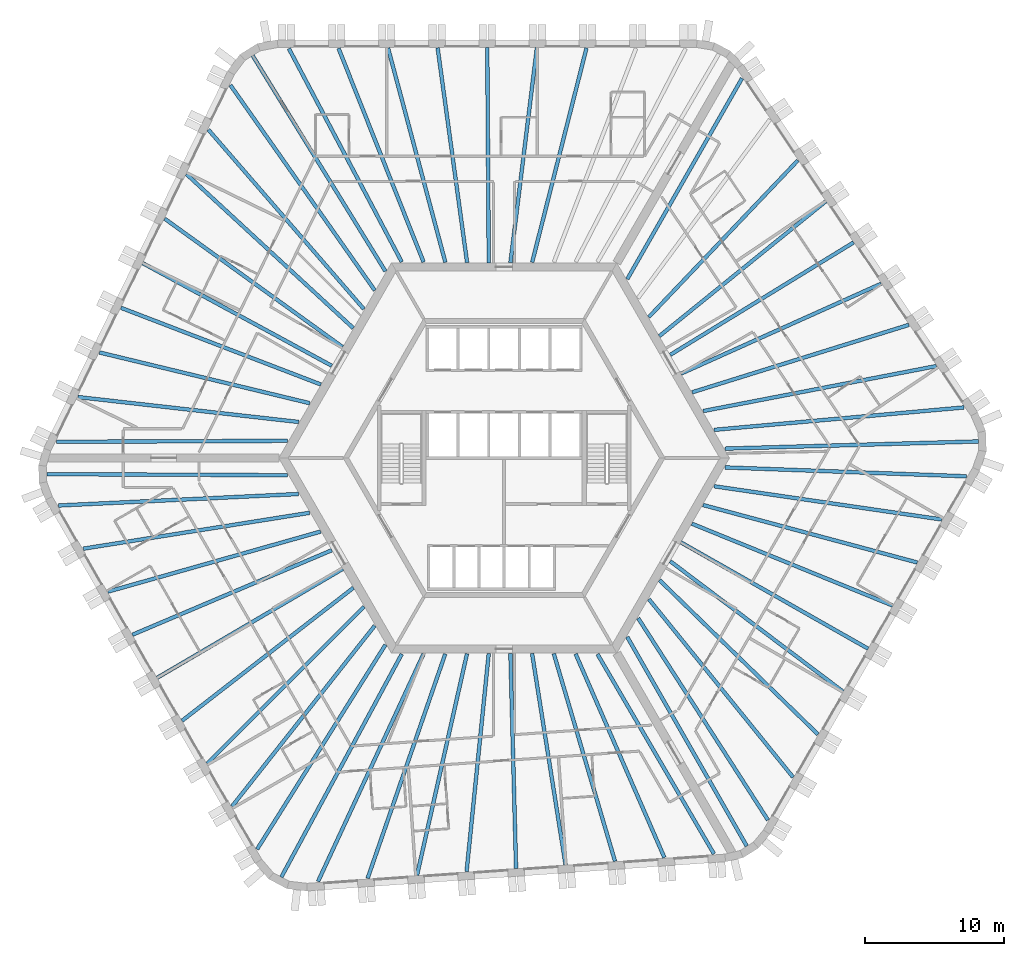
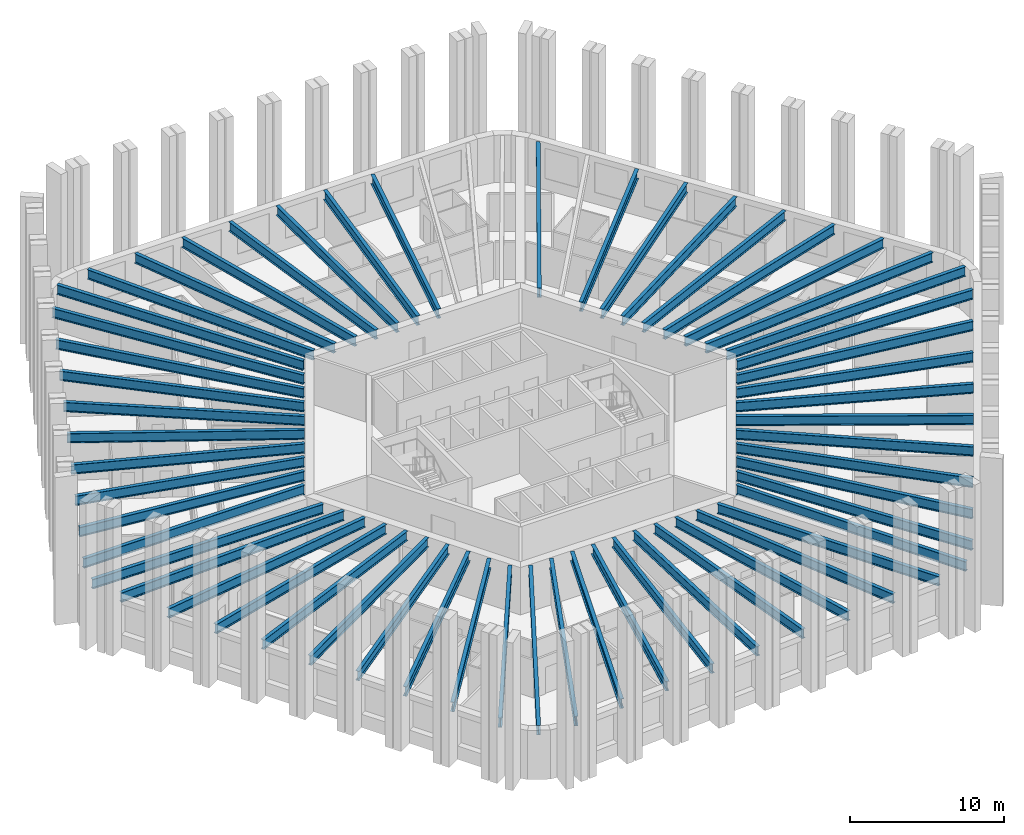
# One storey, part 1 of 13: 56 beams.
"""IFC4 building model written with IfcOpenShell, lengths in metres."""

from ifc_helpers import new_model, si_unit, direction, frame, origin, origin_2d, place, context, subcontext, project, spatial, i_section, extrude, material, material_profile, profile_set, type_object, element, save


model = new_model("IFC4")

# Units and contexts
model_context = context("Model", 3, precision=1e-05, world=origin(), true_north=direction((0.0, 1.0)))
body_context = subcontext(model_context, "Body", "Model", "MODEL_VIEW")
ifc_project = project(units=[si_unit("LENGTHUNIT", "METRE"), si_unit("AREAUNIT", "SQUARE_METRE"), si_unit("VOLUMEUNIT", "CUBIC_METRE"), si_unit("PLANEANGLEUNIT", "RADIAN"), si_unit("MASSUNIT", "GRAM", prefix="KILO")], contexts=[model_context])

# Site, building, storey
site_placement = place(None, origin())
site = spatial("IfcSite", under=ifc_project, at=site_placement, CompositionType="ELEMENT")
building_placement = place(site_placement, origin())
building = spatial("IfcBuilding", under=site, at=building_placement, Name="Tarnside Tower", CompositionType="ELEMENT")
storey_placement = place(building_placement, frame((0.0, 0.0, 80.39990234375)))
storey = spatial("IfcBuildingStorey", under=building, at=storey_placement, Name="L17", CompositionType="ELEMENT", Elevation=80.39990234375)

# Beams
ifc_material = material(Name="Steel S355", Category="steel")
ifc_material_profile_1 = material_profile(ifc_material, i_section(OverallWidth=0.26513671875, OverallDepth=0.75390625, WebThickness=0.0126953125, FlangeThickness=0.017578125, FilletRadius=0.0166015625, at=origin_2d()), Name="UB 762x267x147")
ifc_profile_set_1 = profile_set([ifc_material_profile_1], Name="Steel S355")
beam_type_1 = type_object("IfcBeamType", Name="Floor beam UB 762x267x147", PredefinedType="BEAM", material=ifc_profile_set_1)
beam_1_placement = place(storey_placement, frame((2.3525390625, 29.43017578125, 3.373046875), z_axis=(-0.122329629165, -0.992489527314, 0.0), x_axis=(0.992489527314, -0.122329629165, 0.0)))
element("IfcBeam", 1, at=beam_1_placement, inside=storey, type_object=beam_type_1, Name="Floor beam F1.04", PredefinedType="BEAM", context=body_context, shape_type="SweptSolid", body=[
    extrude(i_section(OverallWidth=0.26513671875, OverallDepth=0.75390625, WebThickness=0.0126953125, FlangeThickness=0.017578125, FilletRadius=0.0166015625, at=origin_2d()), origin(), (0.0, 0.0, 1.0), 15.527099609375),
])
beam_2_placement = place(storey_placement, frame((-1.208984375, 29.449951171875, 3.373046875), z_axis=(0.007000128723, -0.999975498799, 0.0), x_axis=(0.999975498799, 0.007000128723, 0.0)))
element("IfcBeam", 2, at=beam_2_placement, inside=storey, type_object=beam_type_1, Name="Floor beam F1.05", PredefinedType="BEAM", context=body_context, shape_type="SweptSolid", body=[
    extrude(i_section(OverallWidth=0.26513671875, OverallDepth=0.75390625, WebThickness=0.0126953125, FlangeThickness=0.017578125, FilletRadius=0.0166015625, at=origin_2d()), origin(), (0.0, 0.0, 1.0), 15.450439453125),
])
beam_3_placement = place(storey_placement, frame((-4.7705078125, 29.43017578125, 3.373046875), z_axis=(0.136000560933, -0.990708760144, 0.0), x_axis=(0.990708760144, 0.136000560933, 0.0)))
element("IfcBeam", 3, at=beam_3_placement, inside=storey, type_object=beam_type_1, Name="Floor beam F1.06", PredefinedType="BEAM", context=body_context, shape_type="SweptSolid", body=[
    extrude(i_section(OverallWidth=0.26513671875, OverallDepth=0.75390625, WebThickness=0.0126953125, FlangeThickness=0.017578125, FilletRadius=0.0166015625, at=origin_2d()), origin(), (0.0, 0.0, 1.0), 15.554931640625),
])
beam_4_placement = place(storey_placement, frame((-24.348876953125, 17.168212890625, 3.373046875), z_axis=(0.811027744825, -0.585007689799, 0.0), x_axis=(0.585007689799, 0.811027744825, 0.0)))
element("IfcBeam", 4, at=beam_4_placement, inside=storey, type_object=beam_type_1, Name="Floor beam F2.04", PredefinedType="BEAM", context=body_context, shape_type="SweptSolid", body=[
    extrude(i_section(OverallWidth=0.26513671875, OverallDepth=0.75390625, WebThickness=0.0126953125, FlangeThickness=0.017578125, FilletRadius=0.0166015625, at=origin_2d()), origin(), (0.0, 0.0, 1.0), 15.731689453125),
])
beam_5_placement = place(storey_placement, frame((-25.92626953125, 13.978271484375, 3.373046875), z_axis=(0.878894567679, -0.477016078245, 0.0), x_axis=(0.477016078245, 0.878894567679, 0.0)))
element("IfcBeam", 5, at=beam_5_placement, inside=storey, type_object=beam_type_1, Name="Floor beam F2.05", PredefinedType="BEAM", context=body_context, shape_type="SweptSolid", body=[
    extrude(i_section(OverallWidth=0.26513671875, OverallDepth=0.75390625, WebThickness=0.0126953125, FlangeThickness=0.017578125, FilletRadius=0.0166015625, at=origin_2d()), origin(), (0.0, 0.0, 1.0), 15.427490234375),
])
beam_6_placement = place(storey_placement, frame((-27.487548828125, 10.77734375, 3.373046875), z_axis=(0.933617702452, -0.358270827264, 0.0), x_axis=(0.358270827264, 0.933617702452, 0.0)))
element("IfcBeam", 6, at=beam_6_placement, inside=storey, type_object=beam_type_1, Name="Floor beam F2.06", PredefinedType="BEAM", context=body_context, shape_type="SweptSolid", body=[
    extrude(i_section(OverallWidth=0.26513671875, OverallDepth=0.75390625, WebThickness=0.0126953125, FlangeThickness=0.017578125, FilletRadius=0.0166015625, at=origin_2d()), origin(), (0.0, 0.0, 1.0), 15.363037109375),
])
beam_7_placement = place(storey_placement, frame((-29.029296875, 7.572509765625, 3.373046875), z_axis=(0.972101750991, -0.234559556873, 0.0), x_axis=(0.234559556873, 0.972101750991, 0.0)))
element("IfcBeam", 7, at=beam_7_placement, inside=storey, type_object=beam_type_1, Name="Floor beam F2.07", PredefinedType="BEAM", context=body_context, shape_type="SweptSolid", body=[
    extrude(i_section(OverallWidth=0.26513671875, OverallDepth=0.75390625, WebThickness=0.0126953125, FlangeThickness=0.017578125, FilletRadius=0.0166015625, at=origin_2d()), origin(), (0.0, 0.0, 1.0), 15.522216796875),
])
beam_8_placement = place(storey_placement, frame((-26.66357421875, -12.677734375, 3.373046875), z_axis=(0.920684021494, 0.390308765679, 0.0), x_axis=(-0.390308765679, 0.920684021494, 0.0)))
element("IfcBeam", 8, at=beam_8_placement, inside=storey, type_object=beam_type_1, Name="Floor beam F3.04", PredefinedType="BEAM", context=body_context, shape_type="SweptSolid", body=[
    extrude(i_section(OverallWidth=0.26513671875, OverallDepth=0.75390625, WebThickness=0.0126953125, FlangeThickness=0.017578125, FilletRadius=0.0166015625, at=origin_2d()), origin(), (0.0, 0.0, 1.0), 15.52685546875),
])
beam_9_placement = place(storey_placement, frame((-24.89990234375, -15.772216796875, 3.373046875), z_axis=(0.862497502004, 0.506061319443, 0.0), x_axis=(-0.506061319443, 0.862497502004, 0.0)))
element("IfcBeam", 9, at=beam_9_placement, inside=storey, type_object=beam_type_1, Name="Floor beam F3.05", PredefinedType="BEAM", context=body_context, shape_type="SweptSolid", body=[
    extrude(i_section(OverallWidth=0.26513671875, OverallDepth=0.75390625, WebThickness=0.0126953125, FlangeThickness=0.017578125, FilletRadius=0.0166015625, at=origin_2d()), origin(), (0.0, 0.0, 1.0), 15.450439453125),
])
beam_10_placement = place(storey_placement, frame((-23.10205078125, -18.846435546875, 3.373046875), z_axis=(0.789983963813, 0.613127504617, 0.0), x_axis=(-0.613127504617, 0.789983963813, 0.0)))
element("IfcBeam", 10, at=beam_10_placement, inside=storey, type_object=beam_type_1, Name="Floor beam F3.06", PredefinedType="BEAM", context=body_context, shape_type="SweptSolid", body=[
    extrude(i_section(OverallWidth=0.26513671875, OverallDepth=0.75390625, WebThickness=0.0126953125, FlangeThickness=0.017578125, FilletRadius=0.0166015625, at=origin_2d()), origin(), (0.0, 0.0, 1.0), 15.554931640625),
])
beam_11_placement = place(storey_placement, frame((-2.693603515625, -29.6708984375, 3.373046875), z_axis=(0.101123115756, 0.994873919379, 0.0), x_axis=(-0.994873919379, 0.101123115756, 0.0)))
element("IfcBeam", 11, at=beam_11_placement, inside=storey, type_object=beam_type_1, Name="Floor beam F4.04", PredefinedType="BEAM", context=body_context, shape_type="SweptSolid", body=[
    extrude(i_section(OverallWidth=0.26513671875, OverallDepth=0.75390625, WebThickness=0.0126953125, FlangeThickness=0.017578125, FilletRadius=0.0166015625, at=origin_2d()), origin(), (0.0, 0.0, 1.0), 15.7314453125),
])
beam_12_placement = place(storey_placement, frame((0.857666015625, -29.44189453125, 3.373046875), z_axis=(-0.026333316788, 0.999653218085, 0.0), x_axis=(-0.999653218085, -0.026333316788, 0.0)))
element("IfcBeam", 12, at=beam_12_placement, inside=storey, type_object=beam_type_1, Name="Floor beam F4.05", PredefinedType="BEAM", context=body_context, shape_type="SweptSolid", body=[
    extrude(i_section(OverallWidth=0.26513671875, OverallDepth=0.75390625, WebThickness=0.0126953125, FlangeThickness=0.017578125, FilletRadius=0.0166015625, at=origin_2d()), origin(), (0.0, 0.0, 1.0), 15.42724609375),
])
beam_13_placement = place(storey_placement, frame((4.41015625, -29.193603515625, 3.373046875), z_axis=(-0.156513375907, 0.98767583911, 0.0), x_axis=(-0.98767583911, -0.156513375907, 0.0)))
element("IfcBeam", 13, at=beam_13_placement, inside=storey, type_object=beam_type_1, Name="Floor beam F4.06", PredefinedType="BEAM", context=body_context, shape_type="SweptSolid", body=[
    extrude(i_section(OverallWidth=0.26513671875, OverallDepth=0.75390625, WebThickness=0.0126953125, FlangeThickness=0.017578125, FilletRadius=0.0166015625, at=origin_2d()), origin(), (0.0, 0.0, 1.0), 15.36328125),
])
beam_14_placement = place(storey_placement, frame((7.956787109375, -28.926513671875, 3.373046875), z_axis=(-0.282920694328, 0.959143305623, 0.0), x_axis=(-0.959143305623, -0.282920694328, 0.0)))
element("IfcBeam", 14, at=beam_14_placement, inside=storey, type_object=beam_type_1, Name="Floor beam F4.07", PredefinedType="BEAM", context=body_context, shape_type="SweptSolid", body=[
    extrude(i_section(OverallWidth=0.26513671875, OverallDepth=0.75390625, WebThickness=0.0126953125, FlangeThickness=0.017578125, FilletRadius=0.0166015625, at=origin_2d()), origin(), (0.0, 0.0, 1.0), 15.5224609375),
])
beam_15_placement = place(storey_placement, frame((24.31103515625, -16.75244140625, 3.373046875), z_axis=(-0.798361152727, 0.602178935049, 0.0), x_axis=(-0.602178935049, -0.798361152727, 0.0)))
element("IfcBeam", 15, at=beam_15_placement, inside=storey, type_object=beam_type_1, Name="Floor beam F5.04", PredefinedType="BEAM", context=body_context, shape_type="SweptSolid", body=[
    extrude(i_section(OverallWidth=0.26513671875, OverallDepth=0.75390625, WebThickness=0.0126953125, FlangeThickness=0.017578125, FilletRadius=0.0166015625, at=origin_2d()), origin(), (0.0, 0.0, 1.0), 15.527099609375),
])
beam_16_placement = place(storey_placement, frame((26.10888671875, -13.677978515625, 3.373046875), z_axis=(-0.869502520992, 0.493928502911, 0.0), x_axis=(-0.493928502911, -0.869502520992, 0.0)))
element("IfcBeam", 16, at=beam_16_placement, inside=storey, type_object=beam_type_1, Name="Floor beam F5.05", PredefinedType="BEAM", context=body_context, shape_type="SweptSolid", body=[
    extrude(i_section(OverallWidth=0.26513671875, OverallDepth=0.75390625, WebThickness=0.0126953125, FlangeThickness=0.017578125, FilletRadius=0.0166015625, at=origin_2d()), origin(), (0.0, 0.0, 1.0), 15.4501953125),
])
beam_17_placement = place(storey_placement, frame((27.87255859375, -10.58349609375, 3.373046875), z_axis=(-0.925981621163, 0.377568586177, 0.0), x_axis=(-0.377568586177, -0.925981621163, 0.0)))
element("IfcBeam", 17, at=beam_17_placement, inside=storey, type_object=beam_type_1, Name="Floor beam F5.06", PredefinedType="BEAM", context=body_context, shape_type="SweptSolid", body=[
    extrude(i_section(OverallWidth=0.26513671875, OverallDepth=0.75390625, WebThickness=0.0126953125, FlangeThickness=0.017578125, FilletRadius=0.0166015625, at=origin_2d()), origin(), (0.0, 0.0, 1.0), 15.554931640625),
])
beam_18_placement = place(storey_placement, frame((27.04248046875, 12.502685546875, 3.373046875), z_axis=(-0.912146413919, -0.409864513681, 0.0), x_axis=(0.409864513681, -0.912146413919, 0.0)))
element("IfcBeam", 18, at=beam_18_placement, inside=storey, type_object=beam_type_1, Name="Floor beam F6.04", PredefinedType="BEAM", context=body_context, shape_type="SweptSolid", body=[
    extrude(i_section(OverallWidth=0.26513671875, OverallDepth=0.75390625, WebThickness=0.0126953125, FlangeThickness=0.017578125, FilletRadius=0.0166015625, at=origin_2d()), origin(), (0.0, 0.0, 1.0), 15.7314453125),
])
beam_19_placement = place(storey_placement, frame((25.068603515625, 15.463623046875, 3.373046875), z_axis=(-0.852558490017, -0.522631821744, 0.0), x_axis=(0.522631821744, -0.852558490017, 0.0)))
element("IfcBeam", 19, at=beam_19_placement, inside=storey, type_object=beam_type_1, Name="Floor beam F6.05", PredefinedType="BEAM", context=body_context, shape_type="SweptSolid", body=[
    extrude(i_section(OverallWidth=0.26513671875, OverallDepth=0.75390625, WebThickness=0.0126953125, FlangeThickness=0.017578125, FilletRadius=0.0166015625, at=origin_2d()), origin(), (0.0, 0.0, 1.0), 15.42724609375),
])
beam_20_placement = place(storey_placement, frame((23.0771484375, 18.416259765625, 3.373046875), z_axis=(-0.777079423039, -0.629402550272, 0.0), x_axis=(0.629402550272, -0.777079423039, 0.0)))
element("IfcBeam", 20, at=beam_20_placement, inside=storey, type_object=beam_type_1, Name="Floor beam F6.06", PredefinedType="BEAM", context=body_context, shape_type="SweptSolid", body=[
    extrude(i_section(OverallWidth=0.26513671875, OverallDepth=0.75390625, WebThickness=0.0126953125, FlangeThickness=0.017578125, FilletRadius=0.0166015625, at=origin_2d()), origin(), (0.0, 0.0, 1.0), 15.36328125),
])
beam_21_placement = place(storey_placement, frame((21.072509765625, 21.35400390625, 3.373046875), z_axis=(-0.689174694318, -0.724595225427, 0.0), x_axis=(0.724595225427, -0.689174694318, 0.0)))
element("IfcBeam", 21, at=beam_21_placement, inside=storey, type_object=beam_type_1, Name="Floor beam F6.07", PredefinedType="BEAM", context=body_context, shape_type="SweptSolid", body=[
    extrude(i_section(OverallWidth=0.26513671875, OverallDepth=0.75390625, WebThickness=0.0126953125, FlangeThickness=0.017578125, FilletRadius=0.0166015625, at=origin_2d()), origin(), (0.0, 0.0, 1.0), 15.522216796875),
])
ifc_material_profile_2 = material_profile(ifc_material, i_section(OverallWidth=0.2666015625, OverallDepth=0.76220703125, WebThickness=0.014404296875, FlangeThickness=0.021484375, FilletRadius=0.0166015625, at=origin_2d()), Name="UB 762x267x173")
ifc_profile_set_2 = profile_set([ifc_material_profile_2], Name="Steel S355")
beam_type_2 = type_object("IfcBeamType", Name="Floor beam UB 762x267x173", PredefinedType="BEAM", material=ifc_profile_set_2)
beam_22_placement = place(storey_placement, frame((5.909423828125, 29.4111328125, 3.368896484375), z_axis=(-0.245747281389, -0.969333933013, 0.0), x_axis=(0.969333933013, -0.245747281389, 0.0)))
element("IfcBeam", 22, at=beam_22_placement, inside=storey, type_object=beam_type_2, Name="Floor beam F1.03", PredefinedType="BEAM", context=body_context, shape_type="SweptSolid", body=[
    extrude(i_section(OverallWidth=0.2666015625, OverallDepth=0.76220703125, WebThickness=0.014404296875, FlangeThickness=0.021484375, FilletRadius=0.0166015625, at=origin_2d()), origin(), (0.0, 0.0, 1.0), 15.858642578125),
])
beam_23_placement = place(storey_placement, frame((-8.3271484375, 29.411376953125, 3.368896484375), z_axis=(0.258447478572, -0.966025310652, 0.0), x_axis=(0.966025310652, 0.258447478572, 0.0)))
element("IfcBeam", 23, at=beam_23_placement, inside=storey, type_object=beam_type_2, Name="Floor beam F1.07", PredefinedType="BEAM", context=body_context, shape_type="SweptSolid", body=[
    extrude(i_section(OverallWidth=0.2666015625, OverallDepth=0.76220703125, WebThickness=0.014404296875, FlangeThickness=0.021484375, FilletRadius=0.0166015625, at=origin_2d()), origin(), (0.0, 0.0, 1.0), 15.91357421875),
])
beam_24_placement = place(storey_placement, frame((-11.87939453125, 29.394287109375, 3.368896484375), z_axis=(0.369638204477, -0.929175762593, 0.0), x_axis=(0.929175762593, 0.369638204477, 0.0)))
element("IfcBeam", 24, at=beam_24_placement, inside=storey, type_object=beam_type_2, Name="Floor beam F1.08", PredefinedType="BEAM", context=body_context, shape_type="SweptSolid", body=[
    extrude(i_section(OverallWidth=0.2666015625, OverallDepth=0.76220703125, WebThickness=0.014404296875, FlangeThickness=0.021484375, FilletRadius=0.0166015625, at=origin_2d()), origin(), (0.0, 0.0, 1.0), 16.507568359375),
])
beam_25_placement = place(storey_placement, frame((-15.44580078125, 29.37939453125, 3.368896484375), z_axis=(0.467741993634, -0.883865050441, 0.0), x_axis=(0.883865050441, 0.467741993634, 0.0)))
element("IfcBeam", 25, at=beam_25_placement, inside=storey, type_object=beam_type_2, Name="Floor beam F1.09", PredefinedType="BEAM", context=body_context, shape_type="SweptSolid", body=[
    extrude(i_section(OverallWidth=0.2666015625, OverallDepth=0.76220703125, WebThickness=0.014404296875, FlangeThickness=0.021484375, FilletRadius=0.0166015625, at=origin_2d()), origin(), (0.0, 0.0, 1.0), 17.320068359375),
])
beam_26_placement = place(storey_placement, frame((-18.042236328125, 28.8701171875, 3.368896484375), z_axis=(0.524382977035, -0.851482526771, 0.0), x_axis=(0.851482526771, 0.524382977035, 0.0)))
element("IfcBeam", 26, at=beam_26_placement, inside=storey, type_object=beam_type_2, Name="Floor beam C1", PredefinedType="BEAM", context=body_context, shape_type="SweptSolid", body=[
    extrude(i_section(OverallWidth=0.2666015625, OverallDepth=0.76220703125, WebThickness=0.014404296875, FlangeThickness=0.021484375, FilletRadius=0.0166015625, at=origin_2d()), origin(), (0.0, 0.0, 1.0), 18.1728515625),
])
beam_27_placement = place(storey_placement, frame((-19.638671875, 26.75537109375, 3.368896484375), z_axis=(0.575411427849, -0.817864101609, 0.0), x_axis=(0.817864101609, 0.575411427849, 0.0)))
element("IfcBeam", 27, at=beam_27_placement, inside=storey, type_object=beam_type_2, Name="Floor beam F2.01", PredefinedType="BEAM", context=body_context, shape_type="SweptSolid", body=[
    extrude(i_section(OverallWidth=0.2666015625, OverallDepth=0.76220703125, WebThickness=0.014404296875, FlangeThickness=0.021484375, FilletRadius=0.0166015625, at=origin_2d()), origin(), (0.0, 0.0, 1.0), 18.00048828125),
])
beam_28_placement = place(storey_placement, frame((-21.21630859375, 23.554931640625, 3.368896484375), z_axis=(0.654980748073, -0.755645564834, 0.0), x_axis=(0.755645564834, 0.654980748073, 0.0)))
element("IfcBeam", 28, at=beam_28_placement, inside=storey, type_object=beam_type_2, Name="Floor beam F2.02", PredefinedType="BEAM", context=body_context, shape_type="SweptSolid", body=[
    extrude(i_section(OverallWidth=0.2666015625, OverallDepth=0.76220703125, WebThickness=0.014404296875, FlangeThickness=0.021484375, FilletRadius=0.0166015625, at=origin_2d()), origin(), (0.0, 0.0, 1.0), 17.0302734375),
])
beam_29_placement = place(storey_placement, frame((-22.7890625, 20.368408203125, 3.368896484375), z_axis=(0.734715474517, -0.678375391288, 0.0), x_axis=(0.678375391288, 0.734715474517, 0.0)))
element("IfcBeam", 29, at=beam_29_placement, inside=storey, type_object=beam_type_2, Name="Floor beam F2.03", PredefinedType="BEAM", context=body_context, shape_type="SweptSolid", body=[
    extrude(i_section(OverallWidth=0.2666015625, OverallDepth=0.76220703125, WebThickness=0.014404296875, FlangeThickness=0.021484375, FilletRadius=0.0166015625, at=origin_2d()), origin(), (0.0, 0.0, 1.0), 16.2802734375),
])
beam_30_placement = place(storey_placement, frame((-30.570556640625, 4.372802734375, 3.368896484375), z_axis=(0.993687302776, -0.112185312326, 0.0), x_axis=(0.112185312326, 0.993687302776, 0.0)))
element("IfcBeam", 30, at=beam_30_placement, inside=storey, type_object=beam_type_2, Name="Floor beam F2.08", PredefinedType="BEAM", context=body_context, shape_type="SweptSolid", body=[
    extrude(i_section(OverallWidth=0.2666015625, OverallDepth=0.76220703125, WebThickness=0.014404296875, FlangeThickness=0.021484375, FilletRadius=0.0166015625, at=origin_2d()), origin(), (0.0, 0.0, 1.0), 15.934326171875),
])
beam_31_placement = place(storey_placement, frame((-32.119384765625, 1.162109375, 3.368896484375), z_axis=(0.999990508787, 0.004356872304, 0.0), x_axis=(-0.004356872304, 0.999990508787, 0.0)))
element("IfcBeam", 31, at=beam_31_placement, inside=storey, type_object=beam_type_2, Name="Floor beam F2.09", PredefinedType="BEAM", context=body_context, shape_type="SweptSolid", body=[
    extrude(i_section(OverallWidth=0.2666015625, OverallDepth=0.76220703125, WebThickness=0.014404296875, FlangeThickness=0.021484375, FilletRadius=0.0166015625, at=origin_2d()), origin(), (0.0, 0.0, 1.0), 16.586669921875),
])
beam_32_placement = place(storey_placement, frame((-32.80712890625, -1.1572265625, 3.368896484375), z_axis=(0.999990027056, -0.004466070929, 0.0), x_axis=(0.004466070929, 0.999990027056, 0.0)))
element("IfcBeam", 32, at=beam_32_placement, inside=storey, type_object=beam_type_2, Name="Floor beam C2", PredefinedType="BEAM", context=body_context, shape_type="SweptSolid", body=[
    extrude(i_section(OverallWidth=0.2666015625, OverallDepth=0.76220703125, WebThickness=0.014404296875, FlangeThickness=0.021484375, FilletRadius=0.0166015625, at=origin_2d()), origin(), (0.0, 0.0, 1.0), 17.2744140625),
])
beam_33_placement = place(storey_placement, frame((-31.95703125, -3.406494140625, 3.368896484375), z_axis=(0.998853818522, 0.047864905982, 0.0), x_axis=(-0.047864905982, 0.998853818522, 0.0)))
element("IfcBeam", 33, at=beam_33_placement, inside=storey, type_object=beam_type_2, Name="Floor beam F3.01", PredefinedType="BEAM", context=body_context, shape_type="SweptSolid", body=[
    extrude(i_section(OverallWidth=0.2666015625, OverallDepth=0.76220703125, WebThickness=0.014404296875, FlangeThickness=0.021484375, FilletRadius=0.0166015625, at=origin_2d()), origin(), (0.0, 0.0, 1.0), 17.2197265625),
])
beam_34_placement = place(storey_placement, frame((-30.18701171875, -6.502685546875, 3.368896484375), z_axis=(0.987678477078, 0.156496728136, 0.0), x_axis=(-0.156496728136, 0.987678477078, 0.0)))
element("IfcBeam", 34, at=beam_34_placement, inside=storey, type_object=beam_type_2, Name="Floor beam F3.02", PredefinedType="BEAM", context=body_context, shape_type="SweptSolid", body=[
    extrude(i_section(OverallWidth=0.2666015625, OverallDepth=0.76220703125, WebThickness=0.014404296875, FlangeThickness=0.021484375, FilletRadius=0.0166015625, at=origin_2d()), origin(), (0.0, 0.0, 1.0), 16.4287109375),
])
beam_35_placement = place(storey_placement, frame((-28.425537109375, -9.587890625, 3.368896484375), z_axis=(0.962342240503, 0.271840784547, 0.0), x_axis=(-0.271840784547, 0.962342240503, 0.0)))
element("IfcBeam", 35, at=beam_35_placement, inside=storey, type_object=beam_type_2, Name="Floor beam F3.03", PredefinedType="BEAM", context=body_context, shape_type="SweptSolid", body=[
    extrude(i_section(OverallWidth=0.2666015625, OverallDepth=0.76220703125, WebThickness=0.014404296875, FlangeThickness=0.021484375, FilletRadius=0.0166015625, at=origin_2d()), origin(), (0.0, 0.0, 1.0), 15.858642578125),
])
beam_36_placement = place(storey_placement, frame((-21.307373046875, -21.917236328125, 3.368896484375), z_axis=(0.707367544857, 0.706845921318, 0.0), x_axis=(-0.706845921318, 0.707367544857, 0.0)))
element("IfcBeam", 36, at=beam_36_placement, inside=storey, type_object=beam_type_2, Name="Floor beam F3.07", PredefinedType="BEAM", context=body_context, shape_type="SweptSolid", body=[
    extrude(i_section(OverallWidth=0.2666015625, OverallDepth=0.76220703125, WebThickness=0.014404296875, FlangeThickness=0.021484375, FilletRadius=0.0166015625, at=origin_2d()), origin(), (0.0, 0.0, 1.0), 15.913330078125),
])
beam_37_placement = place(storey_placement, frame((-19.516357421875, -24.985107421875, 3.368896484375), z_axis=(0.619872995007, 0.784702153725, 0.0), x_axis=(-0.784702153725, 0.619872995007, 0.0)))
element("IfcBeam", 37, at=beam_37_placement, inside=storey, type_object=beam_type_2, Name="Floor beam F3.08", PredefinedType="BEAM", context=body_context, shape_type="SweptSolid", body=[
    extrude(i_section(OverallWidth=0.2666015625, OverallDepth=0.76220703125, WebThickness=0.014404296875, FlangeThickness=0.021484375, FilletRadius=0.0166015625, at=origin_2d()), origin(), (0.0, 0.0, 1.0), 16.507568359375),
])
beam_38_placement = place(storey_placement, frame((-17.72021484375, -28.066162109375, 3.368896484375), z_axis=(0.531583085704, 0.847006152866, 0.0), x_axis=(-0.847006152866, 0.531583085704, 0.0)))
element("IfcBeam", 38, at=beam_38_placement, inside=storey, type_object=beam_type_2, Name="Floor beam F3.09", PredefinedType="BEAM", context=body_context, shape_type="SweptSolid", body=[
    extrude(i_section(OverallWidth=0.2666015625, OverallDepth=0.76220703125, WebThickness=0.014404296875, FlangeThickness=0.021484375, FilletRadius=0.0166015625, at=origin_2d()), origin(), (0.0, 0.0, 1.0), 17.320068359375),
])
beam_39_placement = place(storey_placement, frame((-15.981201171875, -30.060302734375, 3.368896484375), z_axis=(0.475208200571, 0.879873380726, 0.0), x_axis=(-0.879873380726, 0.475208200571, 0.0)))
element("IfcBeam", 39, at=beam_39_placement, inside=storey, type_object=beam_type_2, Name="Floor beam C3", PredefinedType="BEAM", context=body_context, shape_type="SweptSolid", body=[
    extrude(i_section(OverallWidth=0.2666015625, OverallDepth=0.76220703125, WebThickness=0.014404296875, FlangeThickness=0.021484375, FilletRadius=0.0166015625, at=origin_2d()), origin(), (0.0, 0.0, 1.0), 18.173095703125),
])
beam_40_placement = place(storey_placement, frame((-13.3515625, -30.38525390625, 3.368896484375), z_axis=(0.42059199668, 0.907249895193, 0.0), x_axis=(-0.907249895193, 0.42059199668, 0.0)))
element("IfcBeam", 40, at=beam_40_placement, inside=storey, type_object=beam_type_2, Name="Floor beam F4.01", PredefinedType="BEAM", context=body_context, shape_type="SweptSolid", body=[
    extrude(i_section(OverallWidth=0.2666015625, OverallDepth=0.76220703125, WebThickness=0.014404296875, FlangeThickness=0.021484375, FilletRadius=0.0166015625, at=origin_2d()), origin(), (0.0, 0.0, 1.0), 18.000244140625),
])
beam_41_placement = place(storey_placement, frame((-9.791015625, -30.151123046875, 3.368896484375), z_axis=(0.326912128872, 0.945054739153, 0.0), x_axis=(-0.945054739153, 0.326912128872, 0.0)))
element("IfcBeam", 41, at=beam_41_placement, inside=storey, type_object=beam_type_2, Name="Floor beam F4.02", PredefinedType="BEAM", context=body_context, shape_type="SweptSolid", body=[
    extrude(i_section(OverallWidth=0.2666015625, OverallDepth=0.76220703125, WebThickness=0.014404296875, FlangeThickness=0.021484375, FilletRadius=0.0166015625, at=origin_2d()), origin(), (0.0, 0.0, 1.0), 17.0302734375),
])
beam_42_placement = place(storey_placement, frame((-6.2451171875, -29.920166015625, 3.368896484375), z_axis=(0.220139818673, 0.975468328668, 0.0), x_axis=(-0.975468328668, 0.220139818673, 0.0)))
element("IfcBeam", 42, at=beam_42_placement, inside=storey, type_object=beam_type_2, Name="Floor beam F4.03", PredefinedType="BEAM", context=body_context, shape_type="SweptSolid", body=[
    extrude(i_section(OverallWidth=0.2666015625, OverallDepth=0.76220703125, WebThickness=0.014404296875, FlangeThickness=0.021484375, FilletRadius=0.0166015625, at=origin_2d()), origin(), (0.0, 0.0, 1.0), 16.280517578125),
])
beam_43_placement = place(storey_placement, frame((11.498291015625, -28.6611328125, 3.368896484375), z_axis=(-0.399695682658, 0.916647893831, 0.0), x_axis=(-0.916647893831, -0.399695682658, 0.0)))
element("IfcBeam", 43, at=beam_43_placement, inside=storey, type_object=beam_type_2, Name="Floor beam F4.08", PredefinedType="BEAM", context=body_context, shape_type="SweptSolid", body=[
    extrude(i_section(OverallWidth=0.2666015625, OverallDepth=0.76220703125, WebThickness=0.014404296875, FlangeThickness=0.021484375, FilletRadius=0.0166015625, at=origin_2d()), origin(), (0.0, 0.0, 1.0), 15.934326171875),
])
beam_44_placement = place(storey_placement, frame((15.05322265625, -28.3974609375, 3.368896484375), z_axis=(-0.503758455062, 0.86384455717, 0.0), x_axis=(-0.86384455717, -0.503758455062, 0.0)))
element("IfcBeam", 44, at=beam_44_placement, inside=storey, type_object=beam_type_2, Name="Floor beam F4.09", PredefinedType="BEAM", context=body_context, shape_type="SweptSolid", body=[
    extrude(i_section(OverallWidth=0.2666015625, OverallDepth=0.76220703125, WebThickness=0.014404296875, FlangeThickness=0.021484375, FilletRadius=0.0166015625, at=origin_2d()), origin(), (0.0, 0.0, 1.0), 16.586669921875),
])
beam_45_placement = place(storey_placement, frame((17.40576171875, -27.833251953125, 3.368896484375), z_axis=(-0.496126762138, 0.868250099851, 0.0), x_axis=(-0.868250099851, -0.496126762138, 0.0)))
element("IfcBeam", 45, at=beam_45_placement, inside=storey, type_object=beam_type_2, Name="Floor beam C4", PredefinedType="BEAM", context=body_context, shape_type="SweptSolid", body=[
    extrude(i_section(OverallWidth=0.2666015625, OverallDepth=0.76220703125, WebThickness=0.014404296875, FlangeThickness=0.021484375, FilletRadius=0.0166015625, at=origin_2d()), origin(), (0.0, 0.0, 1.0), 17.2744140625),
])
beam_46_placement = place(storey_placement, frame((18.9287109375, -25.972412109375, 3.368896484375), z_axis=(-0.540872954463, 0.841104302171, 0.0), x_axis=(-0.841104302171, -0.540872954463, 0.0)))
element("IfcBeam", 46, at=beam_46_placement, inside=storey, type_object=beam_type_2, Name="Floor beam F5.01", PredefinedType="BEAM", context=body_context, shape_type="SweptSolid", body=[
    extrude(i_section(OverallWidth=0.2666015625, OverallDepth=0.76220703125, WebThickness=0.014404296875, FlangeThickness=0.021484375, FilletRadius=0.0166015625, at=origin_2d()), origin(), (0.0, 0.0, 1.0), 17.2197265625),
])
beam_47_placement = place(storey_placement, frame((20.72509765625, -22.89111328125, 3.368896484375), z_axis=(-0.62939015525, 0.777089462336, 0.0), x_axis=(-0.777089462336, -0.62939015525, 0.0)))
element("IfcBeam", 47, at=beam_47_placement, inside=storey, type_object=beam_type_2, Name="Floor beam F5.02", PredefinedType="BEAM", context=body_context, shape_type="SweptSolid", body=[
    extrude(i_section(OverallWidth=0.2666015625, OverallDepth=0.76220703125, WebThickness=0.014404296875, FlangeThickness=0.021484375, FilletRadius=0.0166015625, at=origin_2d()), origin(), (0.0, 0.0, 1.0), 16.4287109375),
])
beam_48_placement = place(storey_placement, frame((22.51611328125, -19.8232421875, 3.368896484375), z_axis=(-0.716594696052, 0.697489814686, 0.0), x_axis=(-0.697489814686, -0.716594696052, 0.0)))
element("IfcBeam", 48, at=beam_48_placement, inside=storey, type_object=beam_type_2, Name="Floor beam F5.03", PredefinedType="BEAM", context=body_context, shape_type="SweptSolid", body=[
    extrude(i_section(OverallWidth=0.2666015625, OverallDepth=0.76220703125, WebThickness=0.014404296875, FlangeThickness=0.021484375, FilletRadius=0.0166015625, at=origin_2d()), origin(), (0.0, 0.0, 1.0), 15.858642578125),
])
beam_49_placement = place(storey_placement, frame((29.634521484375, -7.494140625, 3.368896484375), z_axis=(-0.965827851395, 0.259184415946, 0.0), x_axis=(-0.259184415946, -0.965827851395, 0.0)))
element("IfcBeam", 49, at=beam_49_placement, inside=storey, type_object=beam_type_2, Name="Floor beam F5.07", PredefinedType="BEAM", context=body_context, shape_type="SweptSolid", body=[
    extrude(i_section(OverallWidth=0.2666015625, OverallDepth=0.76220703125, WebThickness=0.014404296875, FlangeThickness=0.021484375, FilletRadius=0.0166015625, at=origin_2d()), origin(), (0.0, 0.0, 1.0), 15.913330078125),
])
beam_50_placement = place(storey_placement, frame((31.39599609375, -4.4091796875, 3.368896484375), z_axis=(-0.989507887412, 0.144478859177, 0.0), x_axis=(-0.144478859177, -0.989507887412, 0.0)))
element("IfcBeam", 50, at=beam_50_placement, inside=storey, type_object=beam_type_2, Name="Floor beam F5.08", PredefinedType="BEAM", context=body_context, shape_type="SweptSolid", body=[
    extrude(i_section(OverallWidth=0.2666015625, OverallDepth=0.76220703125, WebThickness=0.014404296875, FlangeThickness=0.021484375, FilletRadius=0.0166015625, at=origin_2d()), origin(), (0.0, 0.0, 1.0), 16.507568359375),
])
beam_51_placement = place(storey_placement, frame((33.166259765625, -1.31298828125, 3.368896484375), z_axis=(-0.999320941149, 0.036846391708, 0.0), x_axis=(-0.036846391708, -0.999320941149, 0.0)))
element("IfcBeam", 51, at=beam_51_placement, inside=storey, type_object=beam_type_2, Name="Floor beam F5.09", PredefinedType="BEAM", context=body_context, shape_type="SweptSolid", body=[
    extrude(i_section(OverallWidth=0.2666015625, OverallDepth=0.76220703125, WebThickness=0.014404296875, FlangeThickness=0.021484375, FilletRadius=0.0166015625, at=origin_2d()), origin(), (0.0, 0.0, 1.0), 17.320068359375),
])
beam_52_placement = place(storey_placement, frame((34.0234375, 1.18994140625, 3.368896484375), z_axis=(-0.999597013499, -0.028386803343, 0.0), x_axis=(0.028386803343, -0.999597013499, 0.0)))
element("IfcBeam", 52, at=beam_52_placement, inside=storey, type_object=beam_type_2, Name="Floor beam C5", PredefinedType="BEAM", context=body_context, shape_type="SweptSolid", body=[
    extrude(i_section(OverallWidth=0.2666015625, OverallDepth=0.76220703125, WebThickness=0.014404296875, FlangeThickness=0.021484375, FilletRadius=0.0166015625, at=origin_2d()), origin(), (0.0, 0.0, 1.0), 18.1728515625),
])
beam_53_placement = place(storey_placement, frame((32.990234375, 3.6298828125, 3.368896484375), z_axis=(-0.995997485142, -0.089381259731, 0.0), x_axis=(0.089381259731, -0.995997485142, 0.0)))
element("IfcBeam", 53, at=beam_53_placement, inside=storey, type_object=beam_type_2, Name="Floor beam F6.01", PredefinedType="BEAM", context=body_context, shape_type="SweptSolid", body=[
    extrude(i_section(OverallWidth=0.2666015625, OverallDepth=0.76220703125, WebThickness=0.014404296875, FlangeThickness=0.021484375, FilletRadius=0.0166015625, at=origin_2d()), origin(), (0.0, 0.0, 1.0), 18.000244140625),
])
beam_54_placement = place(storey_placement, frame((31.007080078125, 6.596435546875, 3.368896484375), z_axis=(-0.981896564922, -0.189417886679, 0.0), x_axis=(0.189417886679, -0.981896564922, 0.0)))
element("IfcBeam", 54, at=beam_54_placement, inside=storey, type_object=beam_type_2, Name="Floor beam F6.02", PredefinedType="BEAM", context=body_context, shape_type="SweptSolid", body=[
    extrude(i_section(OverallWidth=0.2666015625, OverallDepth=0.76220703125, WebThickness=0.014404296875, FlangeThickness=0.021484375, FilletRadius=0.0166015625, at=origin_2d()), origin(), (0.0, 0.0, 1.0), 17.0302734375),
])
beam_55_placement = place(storey_placement, frame((29.0341796875, 9.5517578125, 3.368896484375), z_axis=(-0.954846945108, -0.297098151152, 0.0), x_axis=(0.297098151152, -0.954846945108, 0.0)))
element("IfcBeam", 55, at=beam_55_placement, inside=storey, type_object=beam_type_2, Name="Floor beam F6.03", PredefinedType="BEAM", context=body_context, shape_type="SweptSolid", body=[
    extrude(i_section(OverallWidth=0.2666015625, OverallDepth=0.76220703125, WebThickness=0.014404296875, FlangeThickness=0.021484375, FilletRadius=0.0166015625, at=origin_2d()), origin(), (0.0, 0.0, 1.0), 16.280517578125),
])
beam_56_placement = place(storey_placement, frame((17.066162109375, 27.235107421875, 3.368896484375), z_axis=(-0.49622611841, -0.868193319145, 0.0), x_axis=(0.868193319145, -0.49622611841, 0.0)))
element("IfcBeam", 56, at=beam_56_placement, inside=storey, type_object=beam_type_2, Name="Floor beam F6.09", PredefinedType="BEAM", context=body_context, shape_type="SweptSolid", body=[
    extrude(i_section(OverallWidth=0.2666015625, OverallDepth=0.76220703125, WebThickness=0.014404296875, FlangeThickness=0.021484375, FilletRadius=0.0166015625, at=origin_2d()), origin(), (0.0, 0.0, 1.0), 16.586669921875),
])

save(model, "model.ifc")
